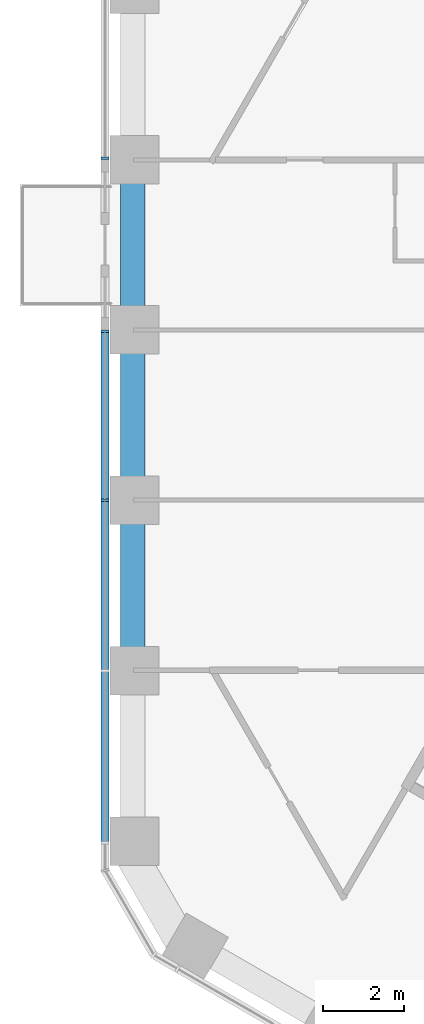
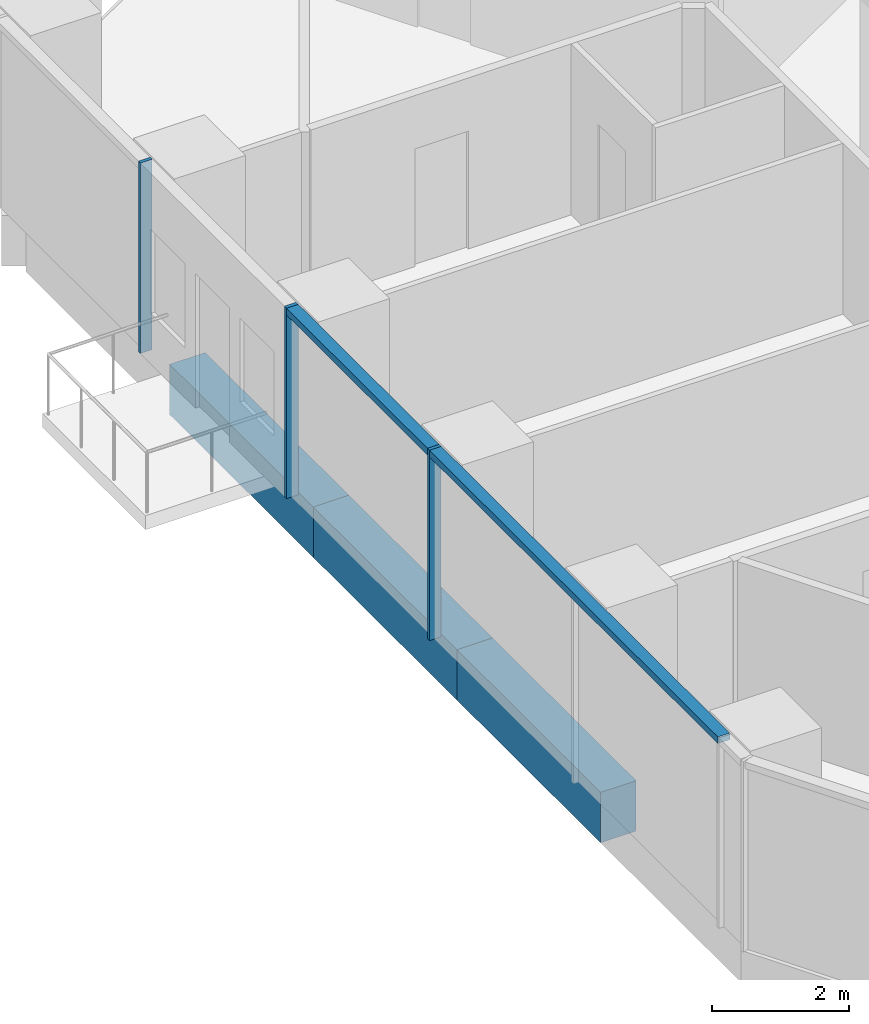
# One storey, part 4 of 20: 4 members, 3 beams, 2 elements without a shape of their own.
"""IFC4 building model written with IfcOpenShell, lengths in metres."""

from ifc_helpers import new_model, si_unit, direction, frame, origin, origin_2d, place, context, subcontext, project, spatial, rectangle, extrude, material, layer, layer_set, material_profile, profile_set, type_object, element, aggregate, save


model = new_model("IFC4")

# Units and contexts
model_context = context("Model", 3, precision=1e-05, world=origin(), true_north=direction((0.0, 1.0)))
body_context = subcontext(model_context, "Body", "Model", "MODEL_VIEW")
ifc_project = project(units=[si_unit("LENGTHUNIT", "METRE"), si_unit("AREAUNIT", "SQUARE_METRE"), si_unit("VOLUMEUNIT", "CUBIC_METRE"), si_unit("PLANEANGLEUNIT", "RADIAN"), si_unit("MASSUNIT", "GRAM", prefix="KILO")], contexts=[model_context])

# Site, building, storey
site_placement = place(None, origin())
site = spatial("IfcSite", under=ifc_project, at=site_placement, CompositionType="ELEMENT")
building_placement = place(site_placement, origin())
building = spatial("IfcBuilding", under=site, at=building_placement, Name="Ayvan Gate Tower", CompositionType="ELEMENT")
storey_placement = place(building_placement, frame((0.0, 0.0, 49.300048828125)))
storey = spatial("IfcBuildingStorey", under=building, at=storey_placement, Name="L12", CompositionType="ELEMENT", Elevation=49.300048828125)

# Beams
ifc_material_1 = material(Name="Concrete C40/50", Category="concrete")
ifc_material_profile_1 = material_profile(ifc_material_1, rectangle(XDim=0.60009765625, YDim=0.89990234375, at=origin_2d()), Name="RC 600x900")
ifc_profile_set_1 = profile_set([ifc_material_profile_1], Name="Concrete C40/50")
beam_type = type_object("IfcBeamType", Name="Spandrel beam RC 600x900 C40/50", PredefinedType="BEAM", material=ifc_profile_set_1)
beam_1_placement = place(storey_placement, frame((-20.383056640625, 6.2998046875, -0.800048828125), z_axis=(0.0, -1.0, 0.0), x_axis=(1.0, 0.0, 0.0)))
element("IfcBeam", 1, at=beam_1_placement, inside=storey, type_object=beam_type, Name="SB-L12-20", PredefinedType="BEAM", context=body_context, shape_type="SweptSolid", body=[
    extrude(rectangle(XDim=0.60009765625, YDim=0.89990234375, at=origin_2d()), origin(), (0.0, 0.0, 1.0), 4.199951171875),
])
beam_2_placement = place(storey_placement, frame((-20.383056640625, 2.099853515625, -0.800048828125), z_axis=(0.0, -1.0, 0.0), x_axis=(1.0, 0.0, 0.0)))
element("IfcBeam", 2, at=beam_2_placement, inside=storey, type_object=beam_type, Name="SB-L12-21", PredefinedType="BEAM", context=body_context, shape_type="SweptSolid", body=[
    extrude(rectangle(XDim=0.60009765625, YDim=0.89990234375, at=origin_2d()), origin(), (0.0, 0.0, 1.0), 4.19970703125),
])
beam_3_placement = place(storey_placement, frame((-20.383056640625, -2.099853515625, -0.800048828125), z_axis=(0.0, -1.0, 0.0), x_axis=(1.0, 0.0, 0.0)))
element("IfcBeam", 3, at=beam_3_placement, inside=storey, type_object=beam_type, Name="SB-L12-22", PredefinedType="BEAM", context=body_context, shape_type="SweptSolid", body=[
    extrude(rectangle(XDim=0.60009765625, YDim=0.89990234375, at=origin_2d()), origin(), (0.0, 0.0, 1.0), 4.199951171875),
])

# Curtain wall, member
ifc_material_2 = material(Name="Bronze anodised aluminium", Category="aluminium")
ifc_layer = layer(ifc_material_2, 0.199951171875)
ifc_layer_set = layer_set([ifc_layer], Name="Bronze anodised aluminium")
curtain_wall_type = type_object("IfcCurtainWallType", Name="Stick curtain wall CW-1", PredefinedType="NOTDEFINED", material=ifc_layer_set)
curtain_wall_1_placement = place(storey_placement, origin())
curtain_wall_1 = element("IfcCurtainWall", 4, at=curtain_wall_1_placement, inside=storey, type_object=curtain_wall_type, Name="Stick curtain wall CW-1 L12", PredefinedType="NOTDEFINED")
ifc_material_profile_2 = material_profile(ifc_material_2, rectangle(XDim=0.199951171875, YDim=0.06005859375, at=origin_2d()), Name="Stick curtain wall CW-1 mullion 200 x 60")
ifc_profile_set_2 = profile_set([ifc_material_profile_2], Name="Bronze anodised aluminium")
member_type_1 = type_object("IfcMemberType", Name="Stick curtain wall CW-1 mullion 200 x 60", PredefinedType="MULLION", material=ifc_profile_set_2)
member_1_placement = place(storey_placement, frame((-21.069091796875, 6.344970703125, 0.0), z_axis=(0.0, 0.0, 1.0), x_axis=(-1.0, 0.0, 0.0)))
member_1 = element("IfcMember", 5, at=member_1_placement, type_object=member_type_1, Name="CW-1 mullion 2", PredefinedType="MULLION", context=body_context, shape_type="SweptSolid", body=[
    extrude(rectangle(XDim=0.199951171875, YDim=0.06005859375, at=origin_2d()), origin(), (0.0, 0.0, 1.0), 3.39990234375),
])
aggregate(curtain_wall_1, [member_1])

# Curtain wall, members
curtain_wall_2_placement = place(storey_placement, origin())
curtain_wall_2 = element("IfcCurtainWall", 6, at=curtain_wall_2_placement, inside=storey, type_object=curtain_wall_type, Name="Stick curtain wall CW-1 L12", PredefinedType="NOTDEFINED")
member_2_placement = place(storey_placement, frame((-21.069091796875, 2.074951171875, 0.0), z_axis=(0.0, 0.0, 1.0), x_axis=(-1.0, 0.0, 0.0)))
member_2 = element("IfcMember", 7, at=member_2_placement, type_object=member_type_1, Name="CW-1 mullion 1", PredefinedType="MULLION", context=body_context, shape_type="SweptSolid", body=[
    extrude(rectangle(XDim=0.199951171875, YDim=0.06005859375, at=origin_2d()), origin(), (0.0, 0.0, 1.0), 3.39990234375),
])
member_3_placement = place(storey_placement, frame((-21.069091796875, -2.10498046875, 0.0), z_axis=(0.0, 0.0, 1.0), x_axis=(-1.0, 0.0, 0.0)))
member_3 = element("IfcMember", 8, at=member_3_placement, type_object=member_type_1, Name="CW-1 mullion 2", PredefinedType="MULLION", context=body_context, shape_type="SweptSolid", body=[
    extrude(rectangle(XDim=0.199951171875, YDim=0.06005859375, at=origin_2d()), origin(), (0.0, 0.0, 1.0), 3.39990234375),
])
ifc_material_profile_3 = material_profile(ifc_material_2, rectangle(XDim=0.199951171875, YDim=0.1201171875, at=origin_2d()), Name="Stick curtain wall CW-1 transom 200 x 120")
ifc_profile_set_3 = profile_set([ifc_material_profile_3], Name="Bronze anodised aluminium")
member_type_2 = type_object("IfcMemberType", Name="Stick curtain wall CW-1 transom 200 x 120", PredefinedType="USERDEFINED", material=ifc_profile_set_3)
member_4_placement = place(storey_placement, frame((-21.069091796875, 2.074951171875, 3.33984375), z_axis=(0.0, -1.0, 0.0), x_axis=(1.0, 0.0, 0.0)))
member_4 = element("IfcMember", 9, at=member_4_placement, type_object=member_type_2, Name="CW-1 transom 1", ObjectType="TRANSOM", PredefinedType="USERDEFINED", context=body_context, shape_type="SweptSolid", body=[
    extrude(rectangle(XDim=0.199951171875, YDim=0.1201171875, at=origin_2d()), origin(), (0.0, 0.0, 1.0), 12.64501953125),
])
aggregate(curtain_wall_2, [member_2, member_3, member_4])

save(model, "model.ifc")
